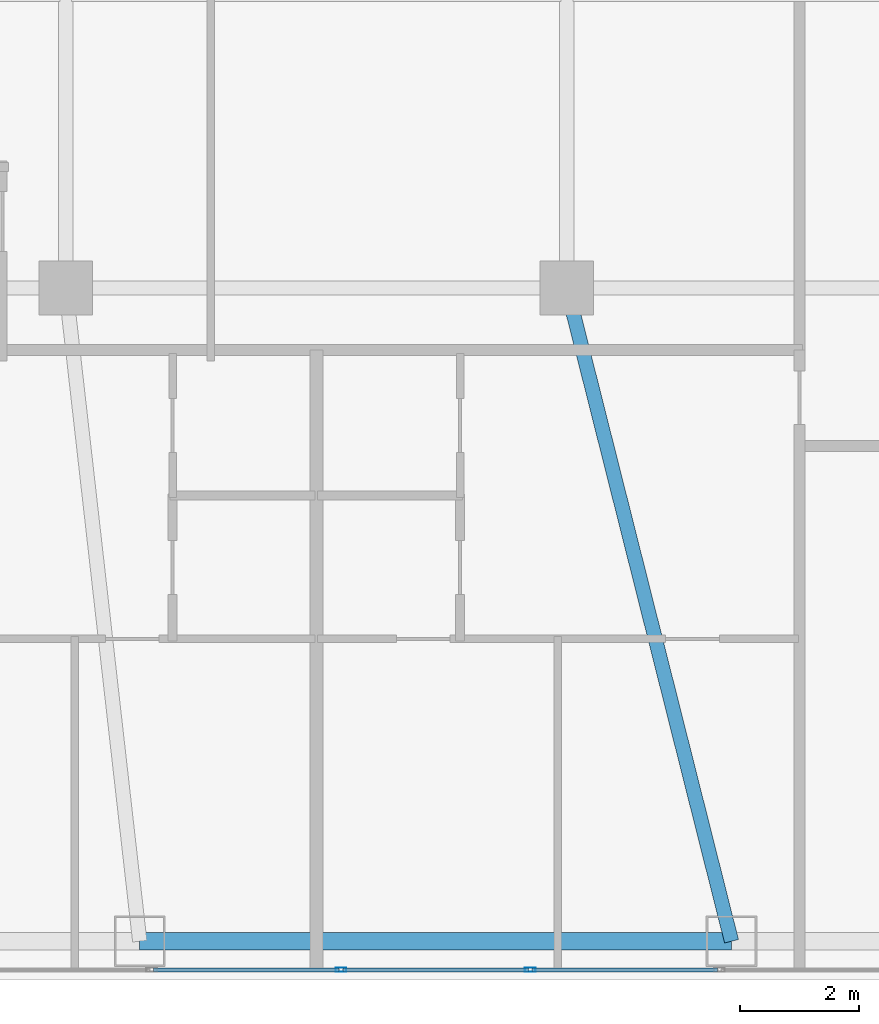
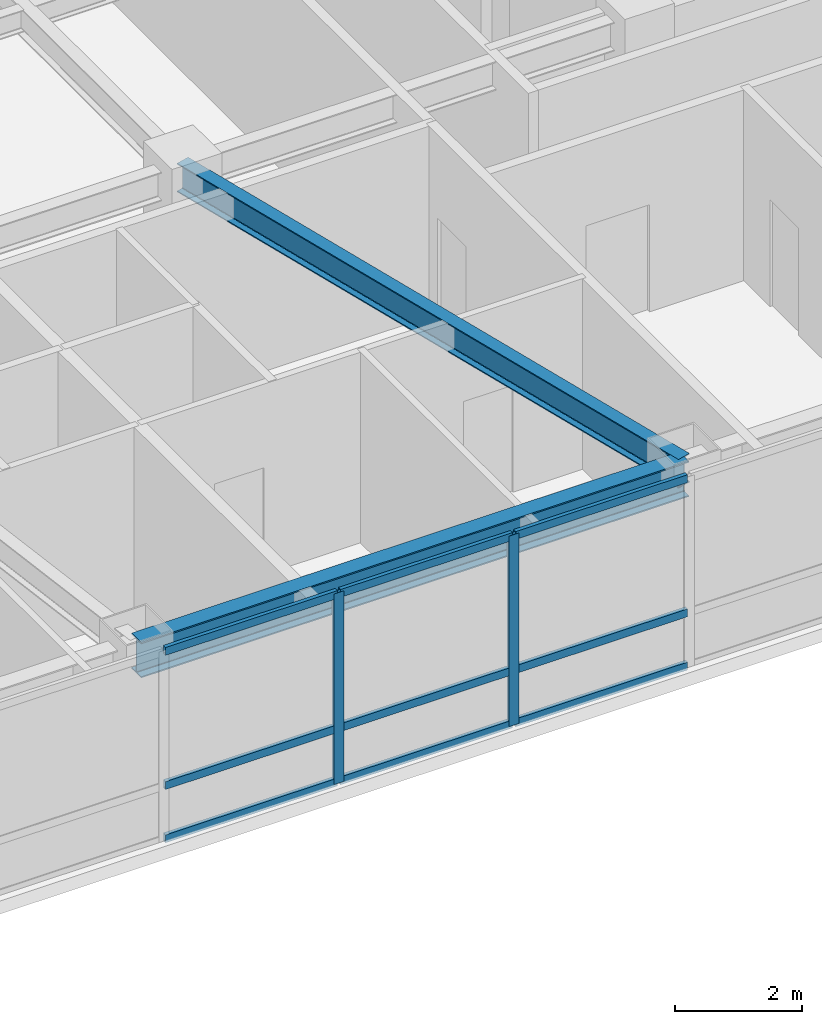
# One storey, part 4 of 29: 11 members, 2 beams, 1 element without a shape of its own.
"""IFC4 building model written with IfcOpenShell, lengths in metres."""

from ifc_helpers import new_model, si_unit, direction, frame, origin, origin_2d, place, context, subcontext, project, spatial, hollow_rectangle, i_section, extrude, material, layer, layer_set, material_profile, profile_set, type_object, element, aggregate, save


model = new_model("IFC4")

# Units and contexts
model_context = context("Model", 3, precision=1e-05, world=origin(), true_north=direction((0.0, 1.0)))
body_context = subcontext(model_context, "Body", "Model", "MODEL_VIEW")
ifc_project = project(units=[si_unit("LENGTHUNIT", "METRE"), si_unit("AREAUNIT", "SQUARE_METRE"), si_unit("VOLUMEUNIT", "CUBIC_METRE"), si_unit("PLANEANGLEUNIT", "RADIAN"), si_unit("MASSUNIT", "GRAM", prefix="KILO")], contexts=[model_context])

# Site, building, storey
site_placement = place(None, origin())
site = spatial("IfcSite", under=ifc_project, at=site_placement, CompositionType="ELEMENT")
building_placement = place(site_placement, origin())
building = spatial("IfcBuilding", under=site, at=building_placement, Name="Voryun Gate Residences", CompositionType="ELEMENT")
storey_placement = place(building_placement, frame((0.0, 0.0, 211.89990234375)))
storey = spatial("IfcBuildingStorey", under=building, at=storey_placement, Name="L52", CompositionType="ELEMENT", Elevation=211.89990234375)

# Beams
ifc_material_1 = material(Name="Steel SM355", Category="steel")
ifc_material_profile_1 = material_profile(ifc_material_1, i_section(OverallWidth=0.300048828125, OverallDepth=0.679931640625, WebThickness=0.013916015625, FlangeThickness=0.02490234375, FilletRadius=0.01806640625, at=origin_2d()), Name="H-680x300x14x25")
ifc_profile_set_1 = profile_set([ifc_material_profile_1], Name="Steel SM355")
beam_type_1 = type_object("IfcBeamType", Name="BM_EXO_SPANDREL_M", PredefinedType="SPANDREL", material=ifc_profile_set_1)
beam_1_placement = place(storey_placement, frame((-2.9599609375, -18.35009765625, 3.31005859375), z_axis=(1.0, 0.0, 0.0), x_axis=(0.0, 1.0, 0.0)))
element("IfcBeam", 1, at=beam_1_placement, inside=storey, type_object=beam_type_1, Name="BM-L52-SPAND-03", PredefinedType="SPANDREL", context=body_context, shape_type="SweptSolid", body=[
    extrude(i_section(OverallWidth=0.300048828125, OverallDepth=0.679931640625, WebThickness=0.013916015625, FlangeThickness=0.02490234375, FilletRadius=0.01806640625, at=origin_2d()), origin(), (0.0, 0.0, 1.0), 9.919921875),
])
ifc_material_2 = material(Name="Steel SM355", Category="steel")
ifc_material_profile_2 = material_profile(ifc_material_2, i_section(OverallWidth=0.239990234375, OverallDepth=0.550048828125, WebThickness=0.011962890625, FlangeThickness=0.02001953125, FilletRadius=0.01806640625, at=origin_2d()), Name="H-550x240x12x20")
ifc_profile_set_2 = profile_set([ifc_material_profile_2], Name="Steel SM355")
beam_type_2 = type_object("IfcBeamType", Name="BM_GIRD_550", PredefinedType="USERDEFINED", material=ifc_profile_set_2)
beam_2_placement = place(storey_placement, frame((4.199951171875, -7.39990234375, 3.375), z_axis=(0.24440715799, -0.969672697936, 0.0), x_axis=(0.969672697936, 0.24440715799, 0.0)))
element("IfcBeam", 2, at=beam_2_placement, inside=storey, type_object=beam_type_2, Name="BM-L52-RAD-S4", ObjectType="GIRDER", PredefinedType="USERDEFINED", context=body_context, shape_type="SweptSolid", body=[
    extrude(i_section(OverallWidth=0.239990234375, OverallDepth=0.550048828125, WebThickness=0.011962890625, FlangeThickness=0.02001953125, FilletRadius=0.01806640625, at=origin_2d()), origin(), (0.0, 0.0, 1.0), 11.292724609375),
])

# Curtain wall, members
ifc_material_3 = material(Name="Anodised aluminium", Category="aluminium")
ifc_layer = layer(ifc_material_3, 0.18994140625, Name="CW_SYS_RES_B_DARK_GLASS")
ifc_layer_set = layer_set([ifc_layer], Name="Anodised aluminium")
curtain_wall_type = type_object("IfcCurtainWallType", Name="CW_SYS_RES_B_DARK_GLASS", PredefinedType="NOTDEFINED", material=ifc_layer_set)
curtain_wall_placement = place(storey_placement, origin())
curtain_wall = element("IfcCurtainWall", 3, at=curtain_wall_placement, inside=storey, type_object=curtain_wall_type, Name="Curtain wall CWT-L52-01", PredefinedType="NOTDEFINED")
ifc_material_4 = material(Name="Anodised aluminium", Category="aluminium")
ifc_material_profile_3 = material_profile(ifc_material_4, hollow_rectangle(XDim=0.070068359375, YDim=0.179931640625, WallThickness=0.00390625, at=origin_2d()), Name="ALU-MULL-180x70x4")
ifc_profile_set_3 = profile_set([ifc_material_profile_3], Name="Anodised aluminium")
member_type_1 = type_object("IfcMemberType", Name="CW_MULL_RES", PredefinedType="MULLION", material=ifc_profile_set_3)
member_1_placement = place(storey_placement, frame((3.586181640625, -18.830078125, 0.0), z_axis=(0.0, 0.0, 1.0), x_axis=(0.0, -1.0, 0.0)))
member_1 = element("IfcMember", 4, at=member_1_placement, type_object=member_type_1, Name="CW4 mullion 3", PredefinedType="MULLION", context=body_context, shape_type="SweptSolid", body=[
    extrude(hollow_rectangle(XDim=0.070068359375, YDim=0.179931640625, WallThickness=0.00390625, at=origin_2d()), origin(), (0.0, 0.0, 1.0), 3.650146484375),
])
member_2_placement = place(storey_placement, frame((0.413818359375, -18.830078125, 0.0), z_axis=(0.0, 0.0, 1.0), x_axis=(0.0, -1.0, 0.0)))
member_2 = element("IfcMember", 5, at=member_2_placement, type_object=member_type_1, Name="CW4 mullion 4", PredefinedType="MULLION", context=body_context, shape_type="SweptSolid", body=[
    extrude(hollow_rectangle(XDim=0.070068359375, YDim=0.179931640625, WallThickness=0.00390625, at=origin_2d()), origin(), (0.0, 0.0, 1.0), 3.650146484375),
])
ifc_material_5 = material(Name="Anodised aluminium", Category="aluminium")
ifc_material_profile_4 = material_profile(ifc_material_5, hollow_rectangle(XDim=0.070068359375, YDim=0.14990234375, WallThickness=0.00390625, at=origin_2d()), Name="ALU-TRAN-150x70x4")
ifc_profile_set_4 = profile_set([ifc_material_profile_4], Name="Anodised aluminium")
member_type_2 = type_object("IfcMemberType", Name="CW_TRAN_RES", PredefinedType="USERDEFINED", material=ifc_profile_set_4)
member_3_placement = place(storey_placement, frame((6.728515625, -18.830078125, 0.030029296875), z_axis=(-1.0, 0.0, 0.0), x_axis=(0.0, -1.0, 0.0)))
member_3 = element("IfcMember", 6, at=member_3_placement, type_object=member_type_2, Name="CW4 transom 2.1", ObjectType="TRANSOM", PredefinedType="USERDEFINED", context=body_context, shape_type="SweptSolid", body=[
    extrude(hollow_rectangle(XDim=0.070068359375, YDim=0.14990234375, WallThickness=0.00390625, at=origin_2d()), origin(), (0.0, 0.0, 1.0), 3.1123046875),
])
member_4_placement = place(storey_placement, frame((6.728515625, -18.830078125, 1.050048828125), z_axis=(-1.0, 0.0, 0.0), x_axis=(0.0, -1.0, 0.0)))
member_4 = element("IfcMember", 7, at=member_4_placement, type_object=member_type_2, Name="CW4 transom 2.2", ObjectType="TRANSOM", PredefinedType="USERDEFINED", context=body_context, shape_type="SweptSolid", body=[
    extrude(hollow_rectangle(XDim=0.070068359375, YDim=0.14990234375, WallThickness=0.00390625, at=origin_2d()), origin(), (0.0, 0.0, 1.0), 3.1123046875),
])
member_5_placement = place(storey_placement, frame((6.728515625, -18.830078125, 3.6201171875), z_axis=(-1.0, 0.0, 0.0), x_axis=(0.0, -1.0, 0.0)))
member_5 = element("IfcMember", 8, at=member_5_placement, type_object=member_type_2, Name="CW4 transom 2.3", ObjectType="TRANSOM", PredefinedType="USERDEFINED", context=body_context, shape_type="SweptSolid", body=[
    extrude(hollow_rectangle(XDim=0.070068359375, YDim=0.14990234375, WallThickness=0.00390625, at=origin_2d()), origin(), (0.0, 0.0, 1.0), 3.1123046875),
])
member_6_placement = place(storey_placement, frame((3.55615234375, -18.830078125, 0.030029296875), z_axis=(-1.0, 0.0, 0.0), x_axis=(0.0, -1.0, 0.0)))
member_6 = element("IfcMember", 9, at=member_6_placement, type_object=member_type_2, Name="CW4 transom 3.1", ObjectType="TRANSOM", PredefinedType="USERDEFINED", context=body_context, shape_type="SweptSolid", body=[
    extrude(hollow_rectangle(XDim=0.070068359375, YDim=0.14990234375, WallThickness=0.00390625, at=origin_2d()), origin(), (0.0, 0.0, 1.0), 3.1123046875),
])
member_7_placement = place(storey_placement, frame((3.55615234375, -18.830078125, 1.050048828125), z_axis=(-1.0, 0.0, 0.0), x_axis=(0.0, -1.0, 0.0)))
member_7 = element("IfcMember", 10, at=member_7_placement, type_object=member_type_2, Name="CW4 transom 3.2", ObjectType="TRANSOM", PredefinedType="USERDEFINED", context=body_context, shape_type="SweptSolid", body=[
    extrude(hollow_rectangle(XDim=0.070068359375, YDim=0.14990234375, WallThickness=0.00390625, at=origin_2d()), origin(), (0.0, 0.0, 1.0), 3.1123046875),
])
member_8_placement = place(storey_placement, frame((3.55615234375, -18.830078125, 3.6201171875), z_axis=(-1.0, 0.0, 0.0), x_axis=(0.0, -1.0, 0.0)))
member_8 = element("IfcMember", 11, at=member_8_placement, type_object=member_type_2, Name="CW4 transom 3.3", ObjectType="TRANSOM", PredefinedType="USERDEFINED", context=body_context, shape_type="SweptSolid", body=[
    extrude(hollow_rectangle(XDim=0.070068359375, YDim=0.14990234375, WallThickness=0.00390625, at=origin_2d()), origin(), (0.0, 0.0, 1.0), 3.1123046875),
])
member_9_placement = place(storey_placement, frame((0.3837890625, -18.830078125, 0.030029296875), z_axis=(-1.0, 0.0, 0.0), x_axis=(0.0, -1.0, 0.0)))
member_9 = element("IfcMember", 12, at=member_9_placement, type_object=member_type_2, Name="CW4 transom 4.1", ObjectType="TRANSOM", PredefinedType="USERDEFINED", context=body_context, shape_type="SweptSolid", body=[
    extrude(hollow_rectangle(XDim=0.070068359375, YDim=0.14990234375, WallThickness=0.00390625, at=origin_2d()), origin(), (0.0, 0.0, 1.0), 3.1123046875),
])
member_10_placement = place(storey_placement, frame((0.3837890625, -18.830078125, 1.050048828125), z_axis=(-1.0, 0.0, 0.0), x_axis=(0.0, -1.0, 0.0)))
member_10 = element("IfcMember", 13, at=member_10_placement, type_object=member_type_2, Name="CW4 transom 4.2", ObjectType="TRANSOM", PredefinedType="USERDEFINED", context=body_context, shape_type="SweptSolid", body=[
    extrude(hollow_rectangle(XDim=0.070068359375, YDim=0.14990234375, WallThickness=0.00390625, at=origin_2d()), origin(), (0.0, 0.0, 1.0), 3.1123046875),
])
member_11_placement = place(storey_placement, frame((0.3837890625, -18.830078125, 3.6201171875), z_axis=(-1.0, 0.0, 0.0), x_axis=(0.0, -1.0, 0.0)))
member_11 = element("IfcMember", 14, at=member_11_placement, type_object=member_type_2, Name="CW4 transom 4.3", ObjectType="TRANSOM", PredefinedType="USERDEFINED", context=body_context, shape_type="SweptSolid", body=[
    extrude(hollow_rectangle(XDim=0.070068359375, YDim=0.14990234375, WallThickness=0.00390625, at=origin_2d()), origin(), (0.0, 0.0, 1.0), 3.1123046875),
])
aggregate(curtain_wall, [member_1, member_2, member_3, member_4, member_5, member_6, member_7, member_8, member_9, member_10, member_11])

save(model, "model.ifc")
